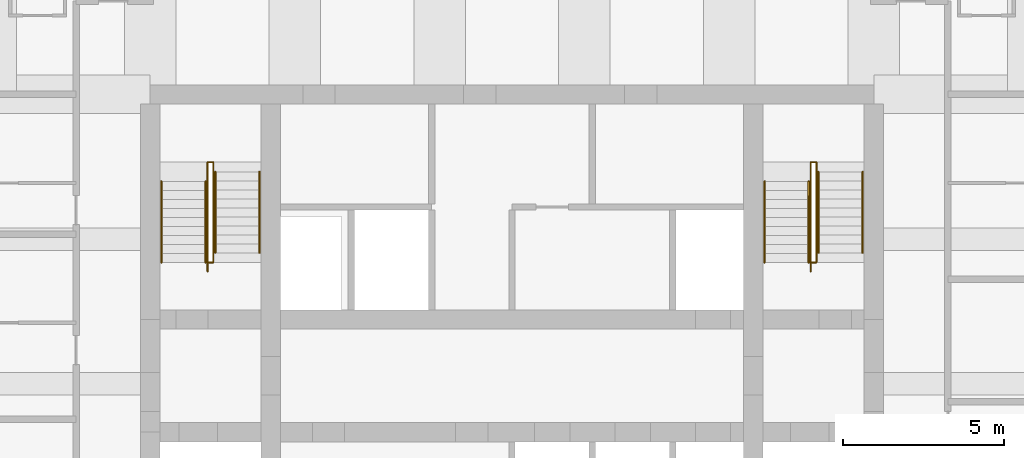
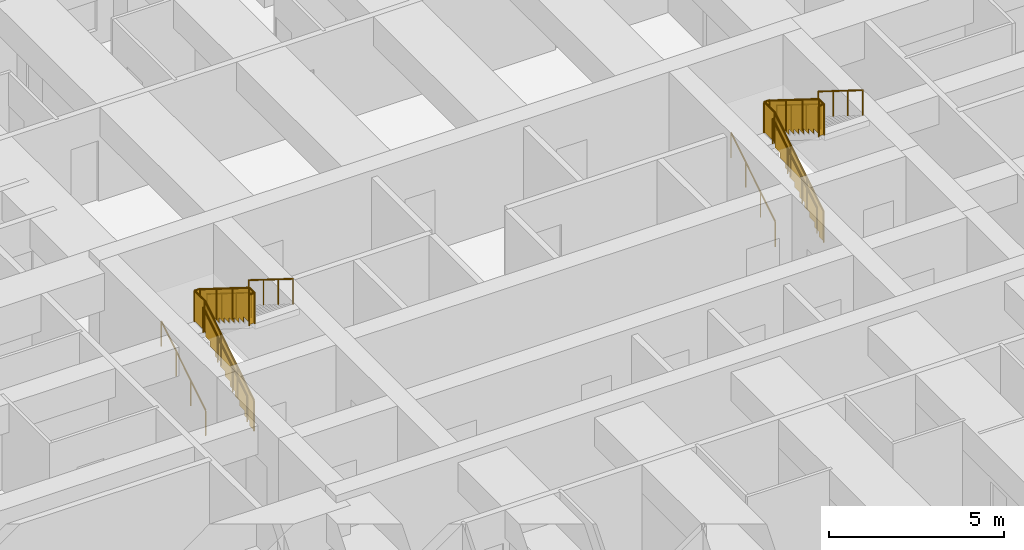
# One storey, part 8 of 8: 12 railings.
"""IFC4 building model written with IfcOpenShell, lengths in metres."""

import ifcopenshell
import ifcopenshell.guid

model = None  # the IFC model being written
_history = None  # IfcOwnerHistory: only IFC2X3 demands one
_inside = {}  # id of a spatial element -> (the spatial element, [elements in it])
_under = {}  # id of a project, library or spatial element -> (it, [spatial elements below it])
_declared = {}  # id of a project -> (the project, [libraries it declares])
_typed = {}  # id of a type object -> (the type object, [elements of that type])
_made_of = {}  # id of a material, layer set ... -> (it, [elements and type objects made of it])


def new_model(schema):
    """Start an empty IFC model of exactly this schema.

    Asked for "IFC4X3", IfcOpenShell would pick the latest addendum, in which some entities
    have other attributes; the version numbers below select the first issue.
    IFC2X3 requires an IfcOwnerHistory on every rooted entity: one is made here for all.
    """
    global model, _history
    if schema == "IFC4X3":
        model = ifcopenshell.file(schema_version=(4, 3, 0, 0))
    else:
        model = ifcopenshell.file(schema=schema)
    _inside.clear()
    _under.clear()
    _declared.clear()
    _typed.clear()
    _made_of.clear()
    _history = None
    if model.schema == "IFC2X3":
        org = make("IfcOrganization", Name="unknown")
        user = make(
            "IfcPersonAndOrganization",
            ThePerson=make("IfcPerson", FamilyName="unknown"),
            TheOrganization=org,
        )
        app = make(
            "IfcApplication",
            ApplicationDeveloper=org,
            Version="unknown",
            ApplicationFullName="unknown",
            ApplicationIdentifier="unknown",
        )
        _history = make(
            "IfcOwnerHistory",
            OwningUser=user,
            OwningApplication=app,
            ChangeAction="ADDED",
            CreationDate=0,
        )
    return model


def make(cls, **values):
    """One entity of the class cls with the attributes given. An attribute that is None is left unset."""
    return model.create_entity(
        cls, **{name: value for name, value in values.items() if value is not None}
    )


def rooted(cls, **values):
    """An entity with a GlobalId (a new one), such as an element, a storey or a relation."""
    return make(cls, GlobalId=ifcopenshell.guid.new(), OwnerHistory=_history, **values)


def si_unit(unit_type, name, prefix=None):
    """IfcSIUnit, for example si_unit("LENGTHUNIT", "METRE", prefix="MILLI")."""
    return make("IfcSIUnit", UnitType=unit_type, Prefix=prefix, Name=name)


def assignment(units):
    """IfcUnitAssignment: the units of a project."""
    return None if units is None else make("IfcUnitAssignment", Units=units)


def point(xyz):
    """IfcCartesianPoint."""
    return None if xyz is None else make("IfcCartesianPoint", Coordinates=xyz)


def direction(xyz):
    """IfcDirection."""
    return None if xyz is None else make("IfcDirection", DirectionRatios=xyz)


def frame(location, z_axis=None, x_axis=None):
    """IfcAxis2Placement3D, a coordinate frame: its origin and axes. An axis left out is left unset."""
    return make(
        "IfcAxis2Placement3D",
        Location=point(location),
        Axis=direction(z_axis),
        RefDirection=direction(x_axis),
    )


def frame_2d(location, x_axis=None):
    """IfcAxis2Placement2D, a coordinate frame in the plane: its origin and x axis."""
    return make(
        "IfcAxis2Placement2D", Location=point(location), RefDirection=direction(x_axis)
    )


def origin():
    """The frame at (0, 0, 0) with its axes left unset."""
    return frame((0.0, 0.0, 0.0))


def origin_2d():
    """The frame at (0, 0) in the plane with its x axis left unset."""
    return frame_2d((0.0, 0.0))


def place(relative_to, where):
    """IfcLocalPlacement: puts the frame where relative to a parent placement (None: the world)."""
    return make(
        "IfcLocalPlacement", PlacementRelTo=relative_to, RelativePlacement=where
    )


def context(
    kind, dimensions, precision=None, world=None, true_north=None, identifier=None
):
    """IfcGeometricRepresentationContext, for example the 3D "Model" context."""
    return make(
        "IfcGeometricRepresentationContext",
        ContextIdentifier=identifier,
        ContextType=kind,
        CoordinateSpaceDimension=dimensions,
        Precision=precision,
        WorldCoordinateSystem=world,
        TrueNorth=true_north,
    )


def subcontext(parent, identifier, kind, view, scale=None):
    """IfcGeometricRepresentationSubContext, for example "Body" below "Model"."""
    return make(
        "IfcGeometricRepresentationSubContext",
        ContextIdentifier=identifier,
        ContextType=kind,
        ParentContext=parent,
        TargetScale=scale,
        TargetView=view,
    )


def project(units=None, contexts=None):
    """IfcProject with its units and contexts."""
    return rooted(
        "IfcProject",
        Name="project",
        RepresentationContexts=contexts,
        UnitsInContext=assignment(units),
    )


def spatial(cls, under=None, at=None, **own):
    """A site, building, storey or space (cls), placed at a placement, below another one or the project."""
    s = rooted(cls, ObjectPlacement=at, **own)
    if under is not None:
        _under.setdefault(under.id(), (under, []))[1].append(s)
    return s


def polyline(points):
    """IfcPolyline through the points."""
    return make("IfcPolyline", Points=[point(p) for p in points])


def profile(cls, at=None, kind="AREA", **sizes):
    """A parametric profile (cls). Its sizes go by their IFC names, for example OverallWidth=200.0."""
    return make(cls, ProfileType=kind, Position=at, **sizes)


def circle(**sizes):
    """IfcCircleProfileDef."""
    return profile("IfcCircleProfileDef", **sizes)


def outline(outer, holes=None, kind="AREA"):
    """IfcArbitraryClosedProfileDef: a profile drawn as a closed curve; with holes, ...WithVoids."""
    if holes is None:
        return make("IfcArbitraryClosedProfileDef", ProfileType=kind, OuterCurve=outer)
    return make(
        "IfcArbitraryProfileDefWithVoids",
        ProfileType=kind,
        OuterCurve=outer,
        InnerCurves=holes,
    )


def extrude(swept, where, along, depth):
    """IfcExtrudedAreaSolid: the profile swept, set in the frame where, extruded along a direction by depth."""
    return make(
        "IfcExtrudedAreaSolid",
        SweptArea=swept,
        Position=where,
        ExtrudedDirection=direction(along),
        Depth=depth,
    )


def shape(context_of_items, identifier, shape_type, items):
    """IfcShapeRepresentation: the items that make up one representation, for example the "Body"."""
    return make(
        "IfcShapeRepresentation",
        ContextOfItems=context_of_items,
        RepresentationIdentifier=identifier,
        RepresentationType=shape_type,
        Items=items,
    )


def material(Name=None, Category=None):
    """IfcMaterial."""
    return make("IfcMaterial", Name=Name, Category=Category)


def made_of(thing, what):
    """Note that an element or type object is made of a material, layer set ...; save() writes the relation."""
    if what is not None:
        _made_of.setdefault(what.id(), (what, []))[1].append(thing)
    return thing


def type_object(cls, material=None, **own):
    """A type object (cls), such as IfcWallType, which elements share."""
    return made_of(rooted(cls, **own), material)


def element(
    cls,
    number,
    at=None,
    inside=None,
    cuts=None,
    type_object=None,
    material=None,
    context=None,
    identifier="Body",
    shape_type=None,
    held_by="IfcProductDefinitionShape",
    body=None,
    shapes=None,
    **own,
):
    """One element of the class cls, such as IfcWall. Its Tag is "e" and its number.

    at: its placement. inside: the storey or other place that contains it. cuts: it is an
    opening in that element (IfcRelVoidsElement). A single representation is given by context,
    identifier, shape_type and body (its items); several are given by shapes. held_by: the class
    of the entity that holds the representations. save() writes the other relations.
    """
    e = rooted(cls, Tag="e%d" % number, ObjectPlacement=at, **own)
    if body is not None:
        shapes = [shape(context, identifier, shape_type, body)]
    if shapes is not None:
        e.Representation = make(held_by, Representations=shapes)
    if inside is not None:
        _inside.setdefault(inside.id(), (inside, []))[1].append(e)
    if cuts is not None:
        rooted(
            "IfcRelVoidsElement", RelatingBuildingElement=cuts, RelatedOpeningElement=e
        )
    if type_object is not None:
        _typed.setdefault(type_object.id(), (type_object, []))[1].append(e)
    return made_of(e, material)


def aggregate(whole, parts):
    """IfcRelAggregates: a whole, such as a stair, and the parts it consists of."""
    return rooted("IfcRelAggregates", RelatingObject=whole, RelatedObjects=parts)


def save(model, path):
    """Write the relations noted so far, then the file.

    IfcRelAggregates (storeys below a building ...), IfcRelContainedInSpatialStructure (elements
    in a storey), IfcRelDefinesByType, IfcRelAssociatesMaterial and IfcRelDeclares: one each for
    every whole, place, type object, material and project.
    """
    for whole, parts in _under.values():
        aggregate(whole, parts)
    for where, things in _inside.values():
        rooted(
            "IfcRelContainedInSpatialStructure",
            RelatedElements=things,
            RelatingStructure=where,
        )
    for kind, things in _typed.values():
        rooted("IfcRelDefinesByType", RelatedObjects=things, RelatingType=kind)
    for what, things in _made_of.values():
        rooted("IfcRelAssociatesMaterial", RelatedObjects=things, RelatingMaterial=what)
    for by, libraries in _declared.values():
        rooted("IfcRelDeclares", RelatingContext=by, RelatedDefinitions=libraries)
    model.write(path)


model = new_model("IFC4")

# Units and contexts
model_context = context("Model", 3, precision=1e-05, world=origin(), true_north=direction((0.0, 1.0)))
body_context = subcontext(model_context, "Body", "Model", "MODEL_VIEW")
ifc_project = project(units=[si_unit("LENGTHUNIT", "METRE"), si_unit("AREAUNIT", "SQUARE_METRE"), si_unit("VOLUMEUNIT", "CUBIC_METRE"), si_unit("PLANEANGLEUNIT", "RADIAN"), si_unit("MASSUNIT", "GRAM", prefix="KILO")], contexts=[model_context])

# Site, building, storey
site_placement = place(None, origin())
site = spatial("IfcSite", under=ifc_project, at=site_placement, CompositionType="ELEMENT")
building_placement = place(site_placement, origin())
building = spatial("IfcBuilding", under=site, at=building_placement, Name="Kilele Tower Hotel", CompositionType="ELEMENT")
storey_placement = place(building_placement, frame((0.0, 0.0, 131.89990234375)))
storey = spatial("IfcBuildingStorey", under=building, at=storey_placement, Name="L34", CompositionType="ELEMENT", Elevation=131.89990234375)

# Railings
ifc_material_1 = material(Name="Steel handrail", Category="steel")
railing_type_1 = type_object("IfcRailingType", Name="Handrail 900", PredefinedType="HANDRAIL", material=ifc_material_1)
for number, where, name in (
    (1, (13.85009765625, 21.77490234375, 0.175048828125), "Handrail ST1 flight 1"),
    (2, (15.22509765625, 21.77490234375, 0.175048828125), "Handrail ST1 flight 1"),
):
    element("IfcRailing", number, at=place(storey_placement, frame(where)), inside=storey, type_object=railing_type_1, Name=name, PredefinedType="HANDRAIL", context=body_context, shape_type="SweptSolid", body=[
        extrude(circle(Radius=0.02490234375, at=origin_2d()), frame((0.0, 0.0, 0.875), z_axis=(0.0, 0.848007534815, 0.529984170421), x_axis=(-1.0, 0.0, 0.0)), (0.0, 0.0, 1.0), 2.9716796875),
        extrude(circle(Radius=0.02001953125, at=origin_2d()), origin(), (0.0, 0.0, 1.0), 0.849853515625),
        extrude(circle(Radius=0.02001953125, at=origin_2d()), frame((0.0, 0.840087890625, 0.52490234375)), (0.0, 0.0, 1.0), 0.849853515625),
        extrude(circle(Radius=0.02001953125, at=origin_2d()), frame((0.0, 1.679931640625, 1.050048828125)), (0.0, 0.0, 1.0), 0.849853515625),
        extrude(circle(Radius=0.02001953125, at=origin_2d()), frame((0.0, 2.52001953125, 1.574951171875)), (0.0, 0.0, 1.0), 0.849853515625),
    ])
for number, where, name in (
    (3, (15.52490234375, 24.594970703125, 1.925048828125), "Handrail ST1 flight 2"),
    (4, (16.89990234375, 24.594970703125, 1.925048828125), "Handrail ST1 flight 2"),
):
    element("IfcRailing", number, at=place(storey_placement, frame(where)), inside=storey, type_object=railing_type_1, Name=name, PredefinedType="HANDRAIL", context=body_context, shape_type="SweptSolid", body=[
        extrude(circle(Radius=0.02490234375, at=origin_2d()), frame((0.0, 0.0, 0.875), z_axis=(0.0, -0.848007534815, 0.529984170421), x_axis=(1.0, 0.0, 0.0)), (0.0, 0.0, 1.0), 2.9716796875),
        extrude(circle(Radius=0.02001953125, at=origin_2d()), origin(), (0.0, 0.0, 1.0), 0.849853515625),
        extrude(circle(Radius=0.02001953125, at=origin_2d()), frame((0.0, -0.840087890625, 0.52490234375)), (0.0, 0.0, 1.0), 0.849853515625),
        extrude(circle(Radius=0.02001953125, at=origin_2d()), frame((0.0, -1.679931640625, 1.050048828125)), (0.0, 0.0, 1.0), 0.849853515625),
        extrude(circle(Radius=0.02001953125, at=origin_2d()), frame((0.0, -2.52001953125, 1.574951171875)), (0.0, 0.0, 1.0), 0.849853515625),
    ])
for number, where, name in (
    (5, (32.60009765625, 21.77490234375, 0.175048828125), "Handrail ST2 flight 1"),
    (6, (33.97509765625, 21.77490234375, 0.175048828125), "Handrail ST2 flight 1"),
):
    element("IfcRailing", number, at=place(storey_placement, frame(where)), inside=storey, type_object=railing_type_1, Name=name, PredefinedType="HANDRAIL", context=body_context, shape_type="SweptSolid", body=[
        extrude(circle(Radius=0.02490234375, at=origin_2d()), frame((0.0, 0.0, 0.875), z_axis=(0.0, 0.848007534815, 0.529984170421), x_axis=(-1.0, 0.0, 0.0)), (0.0, 0.0, 1.0), 2.9716796875),
        extrude(circle(Radius=0.02001953125, at=origin_2d()), origin(), (0.0, 0.0, 1.0), 0.849853515625),
        extrude(circle(Radius=0.02001953125, at=origin_2d()), frame((0.0, 0.840087890625, 0.52490234375)), (0.0, 0.0, 1.0), 0.849853515625),
        extrude(circle(Radius=0.02001953125, at=origin_2d()), frame((0.0, 1.679931640625, 1.050048828125)), (0.0, 0.0, 1.0), 0.849853515625),
        extrude(circle(Radius=0.02001953125, at=origin_2d()), frame((0.0, 2.52001953125, 1.574951171875)), (0.0, 0.0, 1.0), 0.849853515625),
    ])
for number, where, name in (
    (7, (34.27490234375, 24.594970703125, 1.925048828125), "Handrail ST2 flight 2"),
    (8, (35.64990234375, 24.594970703125, 1.925048828125), "Handrail ST2 flight 2"),
):
    element("IfcRailing", number, at=place(storey_placement, frame(where)), inside=storey, type_object=railing_type_1, Name=name, PredefinedType="HANDRAIL", context=body_context, shape_type="SweptSolid", body=[
        extrude(circle(Radius=0.02490234375, at=origin_2d()), frame((0.0, 0.0, 0.875), z_axis=(0.0, -0.848007534815, 0.529984170421), x_axis=(1.0, 0.0, 0.0)), (0.0, 0.0, 1.0), 2.9716796875),
        extrude(circle(Radius=0.02001953125, at=origin_2d()), origin(), (0.0, 0.0, 1.0), 0.849853515625),
        extrude(circle(Radius=0.02001953125, at=origin_2d()), frame((0.0, -0.840087890625, 0.52490234375)), (0.0, 0.0, 1.0), 0.849853515625),
        extrude(circle(Radius=0.02001953125, at=origin_2d()), frame((0.0, -1.679931640625, 1.050048828125)), (0.0, 0.0, 1.0), 0.849853515625),
        extrude(circle(Radius=0.02001953125, at=origin_2d()), frame((0.0, -2.52001953125, 1.574951171875)), (0.0, 0.0, 1.0), 0.849853515625),
    ])
ifc_material_2 = material(Name="Steel guard", Category="steel")
railing_type_2 = type_object("IfcRailingType", Name="Stair guard 1100", PredefinedType="GUARDRAIL", material=ifc_material_2)
railing_1_placement = place(storey_placement, frame((15.284912109375, 21.4951171875, 0.0)))
element("IfcRailing", 9, at=railing_1_placement, inside=storey, type_object=railing_type_2, Name="Stair well guard ST1 flight 1", PredefinedType="GUARDRAIL", context=body_context, shape_type="SweptSolid", body=[
    extrude(circle(Radius=0.02490234375, at=origin_2d()), frame((0.0, 0.0, 1.0751953125), z_axis=(0.0, 0.847981687118, 0.530025526095), x_axis=(-1.0, 0.0, 0.0)), (0.0, 0.0, 1.0), 3.3017578125),
    extrude(circle(Radius=0.02490234375, at=origin_2d()), frame((0.0, 2.7998046875, 2.8251953125), z_axis=(0.0, 1.0, 0.0), x_axis=(-1.0, 0.0, 0.0)), (0.0, 0.0, 1.0), 0.60009765625),
    extrude(circle(Radius=0.02490234375, at=origin_2d()), frame((0.0, 3.39990234375, 2.8251953125), z_axis=(1.0, 0.0, 0.0), x_axis=(0.0, 1.0, 0.0)), (0.0, 0.0, 1.0), 0.18017578125),
    extrude(circle(Radius=0.02490234375, at=origin_2d()), origin(), (0.0, 0.0, 1.0), 1.050048828125),
    extrude(circle(Radius=0.02490234375, at=origin_2d()), frame((0.0, 0.933349609375, 0.583251953125)), (0.0, 0.0, 1.0), 1.050048828125),
    extrude(circle(Radius=0.02490234375, at=origin_2d()), frame((0.0, 1.866455078125, 1.166748046875)), (0.0, 0.0, 1.0), 1.050048828125),
    extrude(circle(Radius=0.02490234375, at=origin_2d()), frame((0.0, 2.7998046875, 1.75)), (0.0, 0.0, 1.0), 1.050048828125),
    extrude(circle(Radius=0.02490234375, at=origin_2d()), frame((0.0, 3.39990234375, 1.75)), (0.0, 0.0, 1.0), 1.050048828125),
    extrude(circle(Radius=0.02490234375, at=origin_2d()), frame((0.18017578125, 3.39990234375, 1.75)), (0.0, 0.0, 1.0), 1.050048828125),
    extrude(outline(polyline([(0.012451171875, 0.030029296875), (0.25, 0.030029296875), (0.25, 0.205078125), (0.530029296875, 0.205078125), (0.530029296875, 0.380126953125), (0.809814453125, 0.380126953125), (0.809814453125, 0.554931640625), (1.08984375, 0.554931640625), (1.08984375, 0.72998046875), (1.369873046875, 0.72998046875), (1.369873046875, 0.905029296875), (1.64990234375, 0.905029296875), (1.64990234375, 1.080078125), (1.929931640625, 1.080078125), (1.929931640625, 1.255126953125), (2.209716796875, 1.255126953125), (2.209716796875, 1.429931640625), (2.48974609375, 1.429931640625), (2.48974609375, 1.60498046875), (2.769775390625, 1.60498046875), (2.769775390625, 1.780029296875), (2.787353515625, 1.780029296875), (2.787353515625, 2.787841796875), (0.012451171875, 1.053466796875), (0.012451171875, 0.030029296875)])), frame((-0.005859375, 0.0, 0.0), z_axis=(1.0, 0.0, 0.0), x_axis=(0.0, 1.0, 0.0)), (0.0, 0.0, 1.0), 0.011962890625),
    extrude(outline(polyline([(0.012451171875, 0.030029296875), (0.587646484375, 0.030029296875), (0.587646484375, 1.050048828125), (0.012451171875, 1.050048828125), (0.012451171875, 0.030029296875)])), frame((-0.005859375, 2.7998046875, 1.75), z_axis=(1.0, 0.0, 0.0), x_axis=(0.0, 1.0, 0.0)), (0.0, 0.0, 1.0), 0.011962890625),
    extrude(outline(polyline([(0.012451171875, 0.030029296875), (0.18017578125, 0.030029296875), (0.18017578125, 1.050048828125), (0.012451171875, 1.050048828125), (0.012451171875, 0.030029296875)])), frame((0.0, 3.40576171875, 1.75), z_axis=(0.0, -1.0, 0.0), x_axis=(1.0, 0.0, 0.0)), (0.0, 0.0, 1.0), 0.011962890625),
])
railing_2_placement = place(storey_placement, frame((15.465087890625, 24.89501953125, 1.75)))
element("IfcRailing", 10, at=railing_2_placement, inside=storey, type_object=railing_type_2, Name="Stair well guard ST1 flight 2", PredefinedType="GUARDRAIL", context=body_context, shape_type="SweptSolid", body=[
    extrude(circle(Radius=0.02490234375, at=origin_2d()), frame((0.0, 0.0, 1.0751953125), z_axis=(0.0, -1.0, 0.0), x_axis=(1.0, 0.0, 0.0)), (0.0, 0.0, 1.0), 0.02001953125),
    extrude(circle(Radius=0.02490234375, at=origin_2d()), frame((0.0, -0.02001953125, 1.0751953125), z_axis=(0.0, -0.848002457836, 0.529992293815), x_axis=(1.0, 0.0, 0.0)), (0.0, 0.0, 1.0), 3.302001953125),
    extrude(circle(Radius=0.02490234375, at=origin_2d()), frame((0.0, -2.820068359375, 2.8251953125), z_axis=(0.0, -1.0, 0.0), x_axis=(1.0, 0.0, 0.0)), (0.0, 0.0, 1.0), 0.300048828125),
    extrude(circle(Radius=0.02490234375, at=origin_2d()), frame((0.0, -3.1201171875, 2.8251953125), z_axis=(-1.0, 0.0, 0.0), x_axis=(0.0, -1.0, 0.0)), (0.0, 0.0, 1.0), 0.18017578125),
    extrude(circle(Radius=0.02490234375, at=origin_2d()), origin(), (0.0, 0.0, 1.0), 1.050048828125),
    extrude(circle(Radius=0.02490234375, at=origin_2d()), frame((0.0, -0.02001953125, 0.0)), (0.0, 0.0, 1.0), 1.050048828125),
    extrude(circle(Radius=0.02490234375, at=origin_2d()), frame((0.0, -0.953369140625, 0.583251953125)), (0.0, 0.0, 1.0), 1.050048828125),
    extrude(circle(Radius=0.02490234375, at=origin_2d()), frame((0.0, -1.88671875, 1.166748046875)), (0.0, 0.0, 1.0), 1.050048828125),
    extrude(circle(Radius=0.02490234375, at=origin_2d()), frame((0.0, -2.820068359375, 1.75)), (0.0, 0.0, 1.0), 1.050048828125),
    extrude(circle(Radius=0.02490234375, at=origin_2d()), frame((0.0, -3.1201171875, 1.75)), (0.0, 0.0, 1.0), 1.050048828125),
    extrude(circle(Radius=0.02490234375, at=origin_2d()), frame((-0.18017578125, -3.1201171875, 1.75)), (0.0, 0.0, 1.0), 1.050048828125),
    extrude(outline(polyline([(0.012451171875, 0.030029296875), (0.25, 0.030029296875), (0.25, 0.205078125), (0.530029296875, 0.205078125), (0.530029296875, 0.380126953125), (0.81005859375, 0.380126953125), (0.81005859375, 0.554931640625), (1.090087890625, 0.554931640625), (1.090087890625, 0.72998046875), (1.3701171875, 0.72998046875), (1.3701171875, 0.905029296875), (1.64990234375, 0.905029296875), (1.64990234375, 1.080078125), (1.929931640625, 1.080078125), (1.929931640625, 1.255126953125), (2.2099609375, 1.255126953125), (2.2099609375, 1.429931640625), (2.489990234375, 1.429931640625), (2.489990234375, 1.60498046875), (2.77001953125, 1.60498046875), (2.77001953125, 1.780029296875), (2.78759765625, 1.780029296875), (2.78759765625, 2.787841796875), (0.012451171875, 1.053466796875), (0.012451171875, 0.030029296875)])), frame((0.005859375, -0.02001953125, 0.0), z_axis=(-1.0, 0.0, 0.0), x_axis=(0.0, -1.0, 0.0)), (0.0, 0.0, 1.0), 0.011962890625),
    extrude(outline(polyline([(0.012451171875, 0.030029296875), (0.28759765625, 0.030029296875), (0.28759765625, 1.050048828125), (0.012451171875, 1.050048828125), (0.012451171875, 0.030029296875)])), frame((0.005859375, -2.820068359375, 1.75), z_axis=(-1.0, 0.0, 0.0), x_axis=(0.0, -1.0, 0.0)), (0.0, 0.0, 1.0), 0.011962890625),
    extrude(outline(polyline([(0.012451171875, 0.030029296875), (0.18017578125, 0.030029296875), (0.18017578125, 1.050048828125), (0.012451171875, 1.050048828125), (0.012451171875, 0.030029296875)])), frame((0.0, -3.1259765625, 1.75), z_axis=(0.0, 1.0, 0.0), x_axis=(-1.0, 0.0, 0.0)), (0.0, 0.0, 1.0), 0.011962890625),
])
railing_3_placement = place(storey_placement, frame((34.034912109375, 21.4951171875, 0.0)))
element("IfcRailing", 11, at=railing_3_placement, inside=storey, type_object=railing_type_2, Name="Stair well guard ST2 flight 1", PredefinedType="GUARDRAIL", context=body_context, shape_type="SweptSolid", body=[
    extrude(circle(Radius=0.02490234375, at=origin_2d()), frame((0.0, 0.0, 1.0751953125), z_axis=(0.0, 0.847981687118, 0.530025526095), x_axis=(-1.0, 0.0, 0.0)), (0.0, 0.0, 1.0), 3.3017578125),
    extrude(circle(Radius=0.02490234375, at=origin_2d()), frame((0.0, 2.7998046875, 2.8251953125), z_axis=(0.0, 1.0, 0.0), x_axis=(-1.0, 0.0, 0.0)), (0.0, 0.0, 1.0), 0.60009765625),
    extrude(circle(Radius=0.02490234375, at=origin_2d()), frame((0.0, 3.39990234375, 2.8251953125), z_axis=(1.0, 0.0, 0.0), x_axis=(0.0, 1.0, 0.0)), (0.0, 0.0, 1.0), 0.18017578125),
    extrude(circle(Radius=0.02490234375, at=origin_2d()), origin(), (0.0, 0.0, 1.0), 1.050048828125),
    extrude(circle(Radius=0.02490234375, at=origin_2d()), frame((0.0, 0.933349609375, 0.583251953125)), (0.0, 0.0, 1.0), 1.050048828125),
    extrude(circle(Radius=0.02490234375, at=origin_2d()), frame((0.0, 1.866455078125, 1.166748046875)), (0.0, 0.0, 1.0), 1.050048828125),
    extrude(circle(Radius=0.02490234375, at=origin_2d()), frame((0.0, 2.7998046875, 1.75)), (0.0, 0.0, 1.0), 1.050048828125),
    extrude(circle(Radius=0.02490234375, at=origin_2d()), frame((0.0, 3.39990234375, 1.75)), (0.0, 0.0, 1.0), 1.050048828125),
    extrude(circle(Radius=0.02490234375, at=origin_2d()), frame((0.18017578125, 3.39990234375, 1.75)), (0.0, 0.0, 1.0), 1.050048828125),
    extrude(outline(polyline([(0.012451171875, 0.030029296875), (0.25, 0.030029296875), (0.25, 0.205078125), (0.530029296875, 0.205078125), (0.530029296875, 0.380126953125), (0.809814453125, 0.380126953125), (0.809814453125, 0.554931640625), (1.08984375, 0.554931640625), (1.08984375, 0.72998046875), (1.369873046875, 0.72998046875), (1.369873046875, 0.905029296875), (1.64990234375, 0.905029296875), (1.64990234375, 1.080078125), (1.929931640625, 1.080078125), (1.929931640625, 1.255126953125), (2.209716796875, 1.255126953125), (2.209716796875, 1.429931640625), (2.48974609375, 1.429931640625), (2.48974609375, 1.60498046875), (2.769775390625, 1.60498046875), (2.769775390625, 1.780029296875), (2.787353515625, 1.780029296875), (2.787353515625, 2.787841796875), (0.012451171875, 1.053466796875), (0.012451171875, 0.030029296875)])), frame((-0.005859375, 0.0, 0.0), z_axis=(1.0, 0.0, 0.0), x_axis=(0.0, 1.0, 0.0)), (0.0, 0.0, 1.0), 0.011962890625),
    extrude(outline(polyline([(0.012451171875, 0.030029296875), (0.587646484375, 0.030029296875), (0.587646484375, 1.050048828125), (0.012451171875, 1.050048828125), (0.012451171875, 0.030029296875)])), frame((-0.005859375, 2.7998046875, 1.75), z_axis=(1.0, 0.0, 0.0), x_axis=(0.0, 1.0, 0.0)), (0.0, 0.0, 1.0), 0.011962890625),
    extrude(outline(polyline([(0.012451171875, 0.030029296875), (0.18017578125, 0.030029296875), (0.18017578125, 1.050048828125), (0.012451171875, 1.050048828125), (0.012451171875, 0.030029296875)])), frame((0.0, 3.40576171875, 1.75), z_axis=(0.0, -1.0, 0.0), x_axis=(1.0, 0.0, 0.0)), (0.0, 0.0, 1.0), 0.011962890625),
])
railing_4_placement = place(storey_placement, frame((34.215087890625, 24.89501953125, 1.75)))
element("IfcRailing", 12, at=railing_4_placement, inside=storey, type_object=railing_type_2, Name="Stair well guard ST2 flight 2", PredefinedType="GUARDRAIL", context=body_context, shape_type="SweptSolid", body=[
    extrude(circle(Radius=0.02490234375, at=origin_2d()), frame((0.0, 0.0, 1.0751953125), z_axis=(0.0, -1.0, 0.0), x_axis=(1.0, 0.0, 0.0)), (0.0, 0.0, 1.0), 0.02001953125),
    extrude(circle(Radius=0.02490234375, at=origin_2d()), frame((0.0, -0.02001953125, 1.0751953125), z_axis=(0.0, -0.848002457836, 0.529992293815), x_axis=(1.0, 0.0, 0.0)), (0.0, 0.0, 1.0), 3.302001953125),
    extrude(circle(Radius=0.02490234375, at=origin_2d()), frame((0.0, -2.820068359375, 2.8251953125), z_axis=(0.0, -1.0, 0.0), x_axis=(1.0, 0.0, 0.0)), (0.0, 0.0, 1.0), 0.300048828125),
    extrude(circle(Radius=0.02490234375, at=origin_2d()), frame((0.0, -3.1201171875, 2.8251953125), z_axis=(-1.0, 0.0, 0.0), x_axis=(0.0, -1.0, 0.0)), (0.0, 0.0, 1.0), 0.18017578125),
    extrude(circle(Radius=0.02490234375, at=origin_2d()), origin(), (0.0, 0.0, 1.0), 1.050048828125),
    extrude(circle(Radius=0.02490234375, at=origin_2d()), frame((0.0, -0.02001953125, 0.0)), (0.0, 0.0, 1.0), 1.050048828125),
    extrude(circle(Radius=0.02490234375, at=origin_2d()), frame((0.0, -0.953369140625, 0.583251953125)), (0.0, 0.0, 1.0), 1.050048828125),
    extrude(circle(Radius=0.02490234375, at=origin_2d()), frame((0.0, -1.88671875, 1.166748046875)), (0.0, 0.0, 1.0), 1.050048828125),
    extrude(circle(Radius=0.02490234375, at=origin_2d()), frame((0.0, -2.820068359375, 1.75)), (0.0, 0.0, 1.0), 1.050048828125),
    extrude(circle(Radius=0.02490234375, at=origin_2d()), frame((0.0, -3.1201171875, 1.75)), (0.0, 0.0, 1.0), 1.050048828125),
    extrude(circle(Radius=0.02490234375, at=origin_2d()), frame((-0.18017578125, -3.1201171875, 1.75)), (0.0, 0.0, 1.0), 1.050048828125),
    extrude(outline(polyline([(0.012451171875, 0.030029296875), (0.25, 0.030029296875), (0.25, 0.205078125), (0.530029296875, 0.205078125), (0.530029296875, 0.380126953125), (0.81005859375, 0.380126953125), (0.81005859375, 0.554931640625), (1.090087890625, 0.554931640625), (1.090087890625, 0.72998046875), (1.3701171875, 0.72998046875), (1.3701171875, 0.905029296875), (1.64990234375, 0.905029296875), (1.64990234375, 1.080078125), (1.929931640625, 1.080078125), (1.929931640625, 1.255126953125), (2.2099609375, 1.255126953125), (2.2099609375, 1.429931640625), (2.489990234375, 1.429931640625), (2.489990234375, 1.60498046875), (2.77001953125, 1.60498046875), (2.77001953125, 1.780029296875), (2.78759765625, 1.780029296875), (2.78759765625, 2.787841796875), (0.012451171875, 1.053466796875), (0.012451171875, 0.030029296875)])), frame((0.005859375, -0.02001953125, 0.0), z_axis=(-1.0, 0.0, 0.0), x_axis=(0.0, -1.0, 0.0)), (0.0, 0.0, 1.0), 0.011962890625),
    extrude(outline(polyline([(0.012451171875, 0.030029296875), (0.28759765625, 0.030029296875), (0.28759765625, 1.050048828125), (0.012451171875, 1.050048828125), (0.012451171875, 0.030029296875)])), frame((0.005859375, -2.820068359375, 1.75), z_axis=(-1.0, 0.0, 0.0), x_axis=(0.0, -1.0, 0.0)), (0.0, 0.0, 1.0), 0.011962890625),
    extrude(outline(polyline([(0.012451171875, 0.030029296875), (0.18017578125, 0.030029296875), (0.18017578125, 1.050048828125), (0.012451171875, 1.050048828125), (0.012451171875, 0.030029296875)])), frame((0.0, -3.1259765625, 1.75), z_axis=(0.0, 1.0, 0.0), x_axis=(-1.0, 0.0, 0.0)), (0.0, 0.0, 1.0), 0.011962890625),
])

save(model, "model.ifc")
